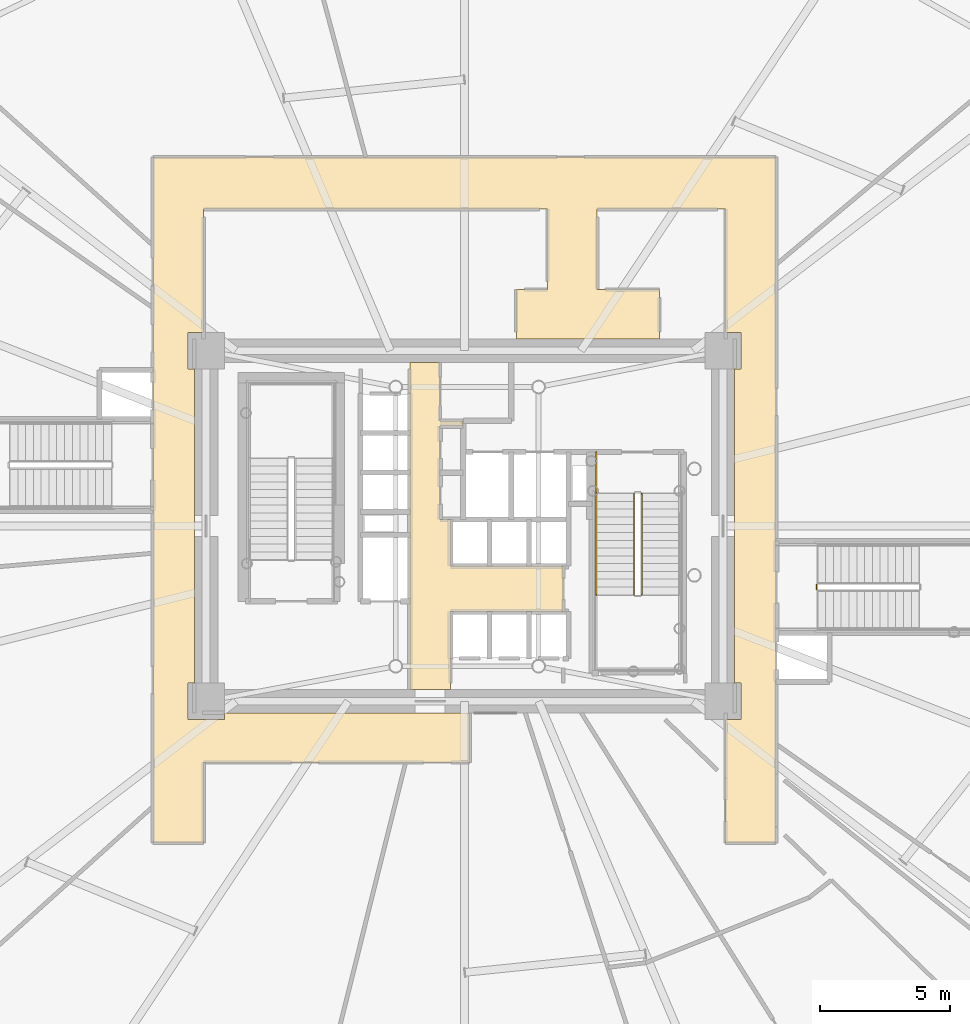
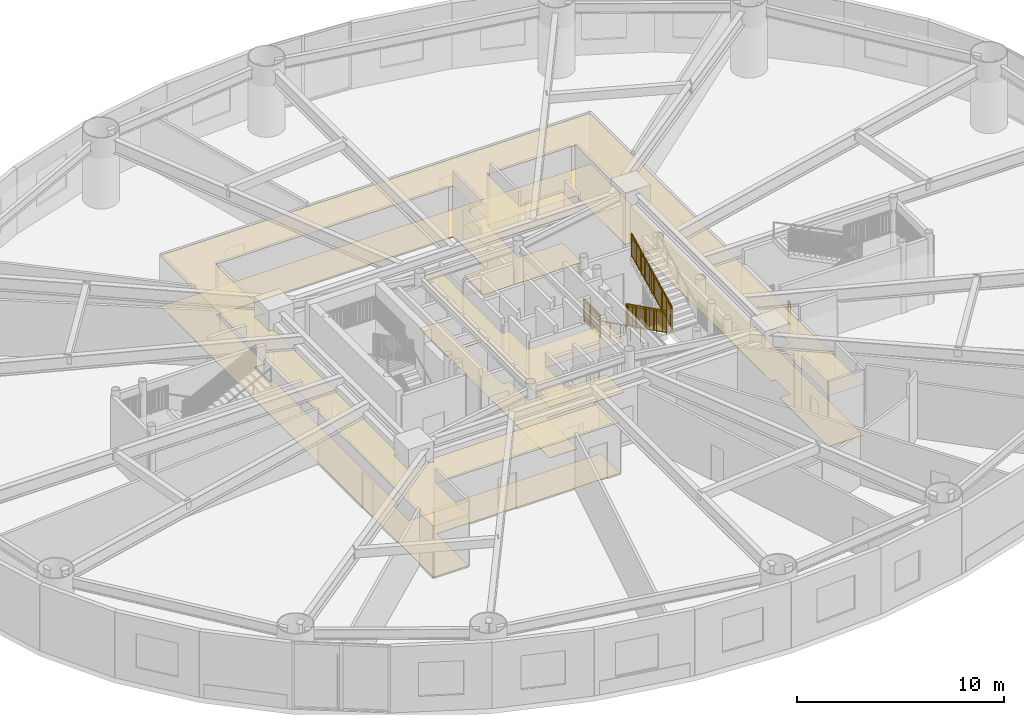
# One storey, part 27 of 31: 5 railings, 4 coverings.
"""IFC4 building model written with IfcOpenShell, lengths in metres."""

from ifc_helpers import new_model, si_unit, direction, frame, origin, origin_2d, place, context, subcontext, project, spatial, polyline, rectangle, outline, extrude, source, transform, mapped, material, layer, layer_set, type_object, element, save


model = new_model("IFC4")

# Units and contexts
model_context = context("Model", 3, precision=1e-05, world=origin(), true_north=direction((0.0, 1.0)))
body_context = subcontext(model_context, "Body", "Model", "MODEL_VIEW")
ifc_project = project(units=[si_unit("LENGTHUNIT", "METRE"), si_unit("AREAUNIT", "SQUARE_METRE"), si_unit("VOLUMEUNIT", "CUBIC_METRE"), si_unit("PLANEANGLEUNIT", "RADIAN"), si_unit("MASSUNIT", "GRAM", prefix="KILO")], contexts=[model_context])

# Site, building, storey
site_placement = place(None, origin())
site = spatial("IfcSite", under=ifc_project, at=site_placement, CompositionType="ELEMENT")
building_placement = place(site_placement, origin())
building = spatial("IfcBuilding", under=site, at=building_placement, Name="Linh Dai School and Residence Tower", CompositionType="ELEMENT")
storey_placement = place(building_placement, frame((0.0, 0.0, 6.0)))
storey = spatial("IfcBuildingStorey", under=building, at=storey_placement, Name="L01", CompositionType="ELEMENT", Elevation=6.0)

# Coverings
ifc_material_1 = material(Name="Mineral Fibre Acoustic Suspended Ceiling", Category="masonry")
ifc_layer_1 = layer(ifc_material_1, 0.02001953125)
ifc_layer_set_1 = layer_set([ifc_layer_1], Name="Mineral Fibre Acoustic Suspended Ceiling")
covering_type_1 = type_object("IfcCoveringType", Name="COV-CEIL-AC-20", PredefinedType="CEILING", material=ifc_layer_set_1)
covering_1_placement = place(storey_placement, frame((0.0, 0.0, 3.0)))
element("IfcCovering", 1, at=covering_1_placement, inside=storey, type_object=covering_type_1, Name="L01 Passenger Lift Lobby Suspended Ceiling", PredefinedType="CEILING", context=body_context, shape_type="SweptSolid", body=[
    extrude(outline(polyline([(35.050048828125, 33.300048828125), (35.050048828125, 31.050048828125), (35.949951171875, 31.050048828125), (35.949951171875, 30.85009765625), (35.050048828125, 30.85009765625), (35.050048828125, 27.25), (35.449951171875, 27.25), (35.449951171875, 25.449951171875), (39.800048828125, 25.449951171875), (39.800048828125, 23.699951171875), (35.449951171875, 23.699951171875), (35.449951171875, 20.699951171875), (33.89990234375, 20.699951171875), (33.89990234375, 33.300048828125), (35.050048828125, 33.300048828125)])), origin(), (0.0, 0.0, 1.0), 0.02001953125),
])
covering_2_placement = place(storey_placement, frame((0.0, 0.0, 3.0)))
element("IfcCovering", 2, at=covering_2_placement, inside=storey, type_object=covering_type_1, Name="L01 School Circulation Ring Corridor Suspended Ceiling", PredefinedType="CEILING", context=body_context, shape_type="SweptSolid", body=[
    extrude(outline(polyline([(24.0, 41.199951171875), (48.0, 41.199951171875), (48.0, 14.800048828125), (46.050048828125, 14.800048828125), (46.050048828125, 19.550048828125), (46.64990234375, 19.550048828125), (46.64990234375, 20.949951171875), (46.39990234375, 20.949951171875), (46.39990234375, 33.050048828125), (46.64990234375, 33.050048828125), (46.64990234375, 34.449951171875), (46.050048828125, 34.449951171875), (46.050048828125, 39.199951171875), (41.10009765625, 39.199951171875), (41.10009765625, 36.10009765625), (43.5, 36.10009765625), (43.5, 34.199951171875), (38.0, 34.199951171875), (38.0, 36.10009765625), (39.199951171875, 36.10009765625), (39.199951171875, 39.199951171875), (25.949951171875, 39.199951171875), (25.949951171875, 34.449951171875), (25.35009765625, 34.449951171875), (25.35009765625, 33.050048828125), (25.60009765625, 33.050048828125), (25.60009765625, 20.949951171875), (25.35009765625, 20.949951171875), (25.35009765625, 19.550048828125), (26.75, 19.550048828125), (26.75, 19.800048828125), (36.199951171875, 19.800048828125), (36.199951171875, 17.89990234375), (25.949951171875, 17.89990234375), (25.949951171875, 14.800048828125), (24.0, 14.800048828125), (24.0, 41.199951171875)])), origin(), (0.0, 0.0, 1.0), 0.02001953125),
])
ifc_material_2 = material(Name="Polished Terrazzo Floor Finish", Category="masonry")
ifc_layer_2 = layer(ifc_material_2, 0.02490234375)
ifc_layer_set_2 = layer_set([ifc_layer_2], Name="Polished Terrazzo Floor Finish")
covering_type_2 = type_object("IfcCoveringType", Name="COV-FLR-TRZ-25", PredefinedType="FLOORING", material=ifc_layer_set_2)
covering_3_placement = place(storey_placement, origin())
element("IfcCovering", 3, at=covering_3_placement, inside=storey, type_object=covering_type_2, Name="L01 Passenger Lift Lobby Floor Finish", PredefinedType="FLOORING", context=body_context, shape_type="SweptSolid", body=[
    extrude(outline(polyline([(35.050048828125, 33.300048828125), (35.050048828125, 31.050048828125), (35.949951171875, 31.050048828125), (35.949951171875, 30.85009765625), (35.050048828125, 30.85009765625), (35.050048828125, 27.25), (35.449951171875, 27.25), (35.449951171875, 25.449951171875), (39.800048828125, 25.449951171875), (39.800048828125, 23.699951171875), (35.449951171875, 23.699951171875), (35.449951171875, 20.699951171875), (33.89990234375, 20.699951171875), (33.89990234375, 33.300048828125), (35.050048828125, 33.300048828125)])), origin(), (0.0, 0.0, 1.0), 0.02001953125),
])
covering_4_placement = place(storey_placement, origin())
element("IfcCovering", 4, at=covering_4_placement, inside=storey, type_object=covering_type_2, Name="L01 School Circulation Ring Corridor Floor Finish", PredefinedType="FLOORING", context=body_context, shape_type="SweptSolid", body=[
    extrude(outline(polyline([(24.0, 41.199951171875), (48.0, 41.199951171875), (48.0, 14.800048828125), (46.050048828125, 14.800048828125), (46.050048828125, 19.550048828125), (46.64990234375, 19.550048828125), (46.64990234375, 20.949951171875), (46.39990234375, 20.949951171875), (46.39990234375, 33.050048828125), (46.64990234375, 33.050048828125), (46.64990234375, 34.449951171875), (46.050048828125, 34.449951171875), (46.050048828125, 39.199951171875), (41.10009765625, 39.199951171875), (41.10009765625, 36.10009765625), (43.5, 36.10009765625), (43.5, 34.199951171875), (38.0, 34.199951171875), (38.0, 36.10009765625), (39.199951171875, 36.10009765625), (39.199951171875, 39.199951171875), (25.949951171875, 39.199951171875), (25.949951171875, 34.449951171875), (25.35009765625, 34.449951171875), (25.35009765625, 33.050048828125), (25.60009765625, 33.050048828125), (25.60009765625, 20.949951171875), (25.35009765625, 20.949951171875), (25.35009765625, 19.550048828125), (26.75, 19.550048828125), (26.75, 19.800048828125), (36.199951171875, 19.800048828125), (36.199951171875, 17.89990234375), (25.949951171875, 17.89990234375), (25.949951171875, 14.800048828125), (24.0, 14.800048828125), (24.0, 41.199951171875)])), origin(), (0.0, 0.0, 1.0), 0.02001953125),
])

# Railings
ifc_material_3 = material(Name="Structural Steel S355JR", Category="steel")
railing_type_1 = type_object("IfcRailingType", Name="RL-ST-GUARD-1400", PredefinedType="GUARDRAIL", material=ifc_material_3)
shared_shape_1 = source(origin(), body_context, "Body", "SweptSolid", [
    extrude(rectangle(XDim=0.048095703125, YDim=0.048095703125, at=origin_2d()), frame((0.0, 0.0, 1.3759765625), z_axis=(0.0, -1.0, 0.0), x_axis=(1.0, 0.0, 0.0)), (0.0, 0.0, 1.0), 1.60009765625),
    extrude(rectangle(XDim=0.048095703125, YDim=0.048095703125, at=origin_2d()), frame((0.0, 0.0, 0.10009765625), z_axis=(0.0, -1.0, 0.0), x_axis=(1.0, 0.0, 0.0)), (0.0, 0.0, 1.0), 1.60009765625),
    extrude(rectangle(XDim=0.030029296875, YDim=0.030029296875, at=origin_2d()), frame((0.0, 0.0, 1.239990234375), z_axis=(0.0, -1.0, 0.0), x_axis=(1.0, 0.0, 0.0)), (0.0, 0.0, 1.0), 1.60009765625),
    extrude(rectangle(XDim=0.02001953125, YDim=0.02001953125, at=origin_2d()), frame((0.0, -0.09423828125, 0.10009765625)), (0.0, 0.0, 1.0), 1.251708984375),
    extrude(rectangle(XDim=0.02001953125, YDim=0.02001953125, at=origin_2d()), frame((0.0, -0.188232421875, 0.10009765625)), (0.0, 0.0, 1.0), 1.251708984375),
    extrude(rectangle(XDim=0.02001953125, YDim=0.02001953125, at=origin_2d()), frame((0.0, -0.282470703125, 0.10009765625)), (0.0, 0.0, 1.0), 1.251708984375),
    extrude(rectangle(XDim=0.02001953125, YDim=0.02001953125, at=origin_2d()), frame((0.0, -0.37646484375, 0.10009765625)), (0.0, 0.0, 1.0), 1.251708984375),
    extrude(rectangle(XDim=0.02001953125, YDim=0.02001953125, at=origin_2d()), frame((0.0, -0.470703125, 0.10009765625)), (0.0, 0.0, 1.0), 1.251708984375),
    extrude(rectangle(XDim=0.02001953125, YDim=0.02001953125, at=origin_2d()), frame((0.0, -0.564697265625, 0.10009765625)), (0.0, 0.0, 1.0), 1.251708984375),
    extrude(rectangle(XDim=0.02001953125, YDim=0.02001953125, at=origin_2d()), frame((0.0, -0.658935546875, 0.10009765625)), (0.0, 0.0, 1.0), 1.251708984375),
    extrude(rectangle(XDim=0.02001953125, YDim=0.02001953125, at=origin_2d()), frame((0.0, -0.7529296875, 0.10009765625)), (0.0, 0.0, 1.0), 1.251708984375),
    extrude(rectangle(XDim=0.02001953125, YDim=0.02001953125, at=origin_2d()), frame((0.0, -0.84716796875, 0.10009765625)), (0.0, 0.0, 1.0), 1.251708984375),
    extrude(rectangle(XDim=0.02001953125, YDim=0.02001953125, at=origin_2d()), frame((0.0, -0.941162109375, 0.10009765625)), (0.0, 0.0, 1.0), 1.251708984375),
    extrude(rectangle(XDim=0.02001953125, YDim=0.02001953125, at=origin_2d()), frame((0.0, -1.035400390625, 0.10009765625)), (0.0, 0.0, 1.0), 1.251708984375),
    extrude(rectangle(XDim=0.02001953125, YDim=0.02001953125, at=origin_2d()), frame((0.0, -1.12939453125, 0.10009765625)), (0.0, 0.0, 1.0), 1.251708984375),
    extrude(rectangle(XDim=0.02001953125, YDim=0.02001953125, at=origin_2d()), frame((0.0, -1.2236328125, 0.10009765625)), (0.0, 0.0, 1.0), 1.251708984375),
    extrude(rectangle(XDim=0.02001953125, YDim=0.02001953125, at=origin_2d()), frame((0.0, -1.317626953125, 0.10009765625)), (0.0, 0.0, 1.0), 1.251708984375),
    extrude(rectangle(XDim=0.02001953125, YDim=0.02001953125, at=origin_2d()), frame((0.0, -1.411865234375, 0.10009765625)), (0.0, 0.0, 1.0), 1.251708984375),
    extrude(rectangle(XDim=0.02001953125, YDim=0.02001953125, at=origin_2d()), frame((0.0, -1.505859375, 0.10009765625)), (0.0, 0.0, 1.0), 1.251708984375),
    extrude(rectangle(XDim=0.0419921875, YDim=0.0419921875, at=origin_2d()), origin(), (0.0, 0.0, 1.0), 1.3759765625),
    extrude(rectangle(XDim=0.0419921875, YDim=0.0419921875, at=origin_2d()), frame((0.0, -0.800048828125, 0.0)), (0.0, 0.0, 1.0), 1.3759765625),
    extrude(rectangle(XDim=0.0419921875, YDim=0.0419921875, at=origin_2d()), frame((0.0, -1.60009765625, 0.0)), (0.0, 0.0, 1.0), 1.3759765625),
])
railing_1_placement = place(storey_placement, frame((41.070068359375, 29.85009765625, 0.0)))
element("IfcRailing", 5, at=railing_1_placement, inside=storey, type_object=railing_type_1, Name="L01 ST2 stair guard 8", PredefinedType="GUARDRAIL", context=body_context, shape_type="MappedRepresentation", body=[
    mapped(shared_shape_1, transform((0.0, 0.0, 0.0), x_axis=(1.0, 0.0, 0.0), y_axis=(0.0, 1.0, 0.0), z_axis=(0.0, 0.0, 1.0), scale=1.0)),
])
shared_shape_2 = source(origin(), body_context, "Body", "SweptSolid", [
    extrude(rectangle(XDim=0.048095703125, YDim=0.048095703125, at=origin_2d()), frame((0.0, 0.0, 1.3759765625), z_axis=(0.0, -0.894404793364, 0.447258387967), x_axis=(1.0, 0.0, 0.0)), (0.0, 0.0, 1.0), 4.3603515625),
    extrude(rectangle(XDim=0.048095703125, YDim=0.048095703125, at=origin_2d()), frame((0.0, 0.0, 0.10009765625), z_axis=(0.0, -0.894404793364, 0.447258387967), x_axis=(1.0, 0.0, 0.0)), (0.0, 0.0, 1.0), 4.3603515625),
    extrude(rectangle(XDim=0.030029296875, YDim=0.030029296875, at=origin_2d()), frame((0.0, 0.0, 1.239990234375), z_axis=(0.0, -0.894404793364, 0.447258387967), x_axis=(1.0, 0.0, 0.0)), (0.0, 0.0, 1.0), 4.3603515625),
    extrude(rectangle(XDim=0.02001953125, YDim=0.02001953125, at=origin_2d()), frame((0.0, -0.086669921875, 0.1435546875)), (0.0, 0.0, 1.0), 1.251708984375),
    extrude(rectangle(XDim=0.02001953125, YDim=0.02001953125, at=origin_2d()), frame((0.0, -0.17333984375, 0.186767578125)), (0.0, 0.0, 1.0), 1.251708984375),
    extrude(rectangle(XDim=0.02001953125, YDim=0.02001953125, at=origin_2d()), frame((0.0, -0.260009765625, 0.230224609375)), (0.0, 0.0, 1.0), 1.251708984375),
    extrude(rectangle(XDim=0.02001953125, YDim=0.02001953125, at=origin_2d()), frame((0.0, -0.3466796875, 0.2734375)), (0.0, 0.0, 1.0), 1.251708984375),
    extrude(rectangle(XDim=0.02001953125, YDim=0.02001953125, at=origin_2d()), frame((0.0, -0.433349609375, 0.31689453125)), (0.0, 0.0, 1.0), 1.251708984375),
    extrude(rectangle(XDim=0.02001953125, YDim=0.02001953125, at=origin_2d()), frame((0.0, -0.52001953125, 0.360107421875)), (0.0, 0.0, 1.0), 1.251708984375),
    extrude(rectangle(XDim=0.02001953125, YDim=0.02001953125, at=origin_2d()), frame((0.0, -0.606689453125, 0.403564453125)), (0.0, 0.0, 1.0), 1.251708984375),
    extrude(rectangle(XDim=0.02001953125, YDim=0.02001953125, at=origin_2d()), frame((0.0, -0.693359375, 0.44677734375)), (0.0, 0.0, 1.0), 1.251708984375),
    extrude(rectangle(XDim=0.02001953125, YDim=0.02001953125, at=origin_2d()), frame((0.0, -0.780029296875, 0.490234375)), (0.0, 0.0, 1.0), 1.251708984375),
    extrude(rectangle(XDim=0.02001953125, YDim=0.02001953125, at=origin_2d()), frame((0.0, -0.86669921875, 0.533447265625)), (0.0, 0.0, 1.0), 1.251708984375),
    extrude(rectangle(XDim=0.02001953125, YDim=0.02001953125, at=origin_2d()), frame((0.0, -1.0400390625, 0.6201171875)), (0.0, 0.0, 1.0), 1.251708984375),
    extrude(rectangle(XDim=0.02001953125, YDim=0.02001953125, at=origin_2d()), frame((0.0, -1.126708984375, 0.66357421875)), (0.0, 0.0, 1.0), 1.251708984375),
    extrude(rectangle(XDim=0.02001953125, YDim=0.02001953125, at=origin_2d()), frame((0.0, -1.21337890625, 0.706787109375)), (0.0, 0.0, 1.0), 1.251708984375),
    extrude(rectangle(XDim=0.02001953125, YDim=0.02001953125, at=origin_2d()), frame((0.0, -1.300048828125, 0.750244140625)), (0.0, 0.0, 1.0), 1.251708984375),
    extrude(rectangle(XDim=0.02001953125, YDim=0.02001953125, at=origin_2d()), frame((0.0, -1.38671875, 0.79345703125)), (0.0, 0.0, 1.0), 1.251708984375),
    extrude(rectangle(XDim=0.02001953125, YDim=0.02001953125, at=origin_2d()), frame((0.0, -1.473388671875, 0.8369140625)), (0.0, 0.0, 1.0), 1.251708984375),
    extrude(rectangle(XDim=0.02001953125, YDim=0.02001953125, at=origin_2d()), frame((0.0, -1.56005859375, 0.880126953125)), (0.0, 0.0, 1.0), 1.251708984375),
    extrude(rectangle(XDim=0.02001953125, YDim=0.02001953125, at=origin_2d()), frame((0.0, -1.646728515625, 0.923583984375)), (0.0, 0.0, 1.0), 1.251708984375),
    extrude(rectangle(XDim=0.02001953125, YDim=0.02001953125, at=origin_2d()), frame((0.0, -1.7333984375, 0.966796875)), (0.0, 0.0, 1.0), 1.251708984375),
    extrude(rectangle(XDim=0.02001953125, YDim=0.02001953125, at=origin_2d()), frame((0.0, -1.820068359375, 1.01025390625)), (0.0, 0.0, 1.0), 1.251708984375),
    extrude(rectangle(XDim=0.02001953125, YDim=0.02001953125, at=origin_2d()), frame((0.0, -1.90673828125, 1.053466796875)), (0.0, 0.0, 1.0), 1.251708984375),
    extrude(rectangle(XDim=0.02001953125, YDim=0.02001953125, at=origin_2d()), frame((0.0, -1.9931640625, 1.096923828125)), (0.0, 0.0, 1.0), 1.251708984375),
    extrude(rectangle(XDim=0.02001953125, YDim=0.02001953125, at=origin_2d()), frame((0.0, -2.079833984375, 1.14013671875)), (0.0, 0.0, 1.0), 1.251708984375),
    extrude(rectangle(XDim=0.02001953125, YDim=0.02001953125, at=origin_2d()), frame((0.0, -2.16650390625, 1.18359375)), (0.0, 0.0, 1.0), 1.251708984375),
    extrude(rectangle(XDim=0.02001953125, YDim=0.02001953125, at=origin_2d()), frame((0.0, -2.253173828125, 1.226806640625)), (0.0, 0.0, 1.0), 1.251708984375),
    extrude(rectangle(XDim=0.02001953125, YDim=0.02001953125, at=origin_2d()), frame((0.0, -2.33984375, 1.270263671875)), (0.0, 0.0, 1.0), 1.251708984375),
    extrude(rectangle(XDim=0.02001953125, YDim=0.02001953125, at=origin_2d()), frame((0.0, -2.426513671875, 1.3134765625)), (0.0, 0.0, 1.0), 1.251708984375),
    extrude(rectangle(XDim=0.02001953125, YDim=0.02001953125, at=origin_2d()), frame((0.0, -2.51318359375, 1.35693359375)), (0.0, 0.0, 1.0), 1.251708984375),
    extrude(rectangle(XDim=0.02001953125, YDim=0.02001953125, at=origin_2d()), frame((0.0, -2.599853515625, 1.400146484375)), (0.0, 0.0, 1.0), 1.251708984375),
    extrude(rectangle(XDim=0.02001953125, YDim=0.02001953125, at=origin_2d()), frame((0.0, -2.6865234375, 1.443603515625)), (0.0, 0.0, 1.0), 1.251708984375),
    extrude(rectangle(XDim=0.02001953125, YDim=0.02001953125, at=origin_2d()), frame((0.0, -2.773193359375, 1.48681640625)), (0.0, 0.0, 1.0), 1.251708984375),
    extrude(rectangle(XDim=0.02001953125, YDim=0.02001953125, at=origin_2d()), frame((0.0, -2.85986328125, 1.5302734375)), (0.0, 0.0, 1.0), 1.251708984375),
    extrude(rectangle(XDim=0.02001953125, YDim=0.02001953125, at=origin_2d()), frame((0.0, -3.033203125, 1.616943359375)), (0.0, 0.0, 1.0), 1.251708984375),
    extrude(rectangle(XDim=0.02001953125, YDim=0.02001953125, at=origin_2d()), frame((0.0, -3.119873046875, 1.66015625)), (0.0, 0.0, 1.0), 1.251708984375),
    extrude(rectangle(XDim=0.02001953125, YDim=0.02001953125, at=origin_2d()), frame((0.0, -3.20654296875, 1.70361328125)), (0.0, 0.0, 1.0), 1.251708984375),
    extrude(rectangle(XDim=0.02001953125, YDim=0.02001953125, at=origin_2d()), frame((0.0, -3.293212890625, 1.746826171875)), (0.0, 0.0, 1.0), 1.251708984375),
    extrude(rectangle(XDim=0.02001953125, YDim=0.02001953125, at=origin_2d()), frame((0.0, -3.3798828125, 1.790283203125)), (0.0, 0.0, 1.0), 1.251708984375),
    extrude(rectangle(XDim=0.02001953125, YDim=0.02001953125, at=origin_2d()), frame((0.0, -3.466552734375, 1.83349609375)), (0.0, 0.0, 1.0), 1.251708984375),
    extrude(rectangle(XDim=0.02001953125, YDim=0.02001953125, at=origin_2d()), frame((0.0, -3.55322265625, 1.876953125)), (0.0, 0.0, 1.0), 1.251708984375),
    extrude(rectangle(XDim=0.02001953125, YDim=0.02001953125, at=origin_2d()), frame((0.0, -3.639892578125, 1.920166015625)), (0.0, 0.0, 1.0), 1.251708984375),
    extrude(rectangle(XDim=0.02001953125, YDim=0.02001953125, at=origin_2d()), frame((0.0, -3.7265625, 1.963623046875)), (0.0, 0.0, 1.0), 1.251708984375),
    extrude(rectangle(XDim=0.02001953125, YDim=0.02001953125, at=origin_2d()), frame((0.0, -3.813232421875, 2.0068359375)), (0.0, 0.0, 1.0), 1.251708984375),
    extrude(rectangle(XDim=0.0419921875, YDim=0.0419921875, at=origin_2d()), origin(), (0.0, 0.0, 1.0), 1.3759765625),
    extrude(rectangle(XDim=0.0419921875, YDim=0.0419921875, at=origin_2d()), frame((0.0, -0.97509765625, 0.487548828125)), (0.0, 0.0, 1.0), 1.3759765625),
    extrude(rectangle(XDim=0.0419921875, YDim=0.0419921875, at=origin_2d()), frame((0.0, -1.949951171875, 0.97509765625)), (0.0, 0.0, 1.0), 1.3759765625),
    extrude(rectangle(XDim=0.0419921875, YDim=0.0419921875, at=origin_2d()), frame((0.0, -2.9248046875, 1.462646484375)), (0.0, 0.0, 1.0), 1.3759765625),
    extrude(rectangle(XDim=0.0419921875, YDim=0.0419921875, at=origin_2d()), frame((0.0, -3.89990234375, 1.9501953125)), (0.0, 0.0, 1.0), 1.3759765625),
])
railing_2_placement = place(storey_placement, frame((42.52001953125, 28.25, 0.14990234375)))
element("IfcRailing", 6, at=railing_2_placement, inside=storey, type_object=railing_type_1, Name="L01 ST2 stair guard 1", PredefinedType="GUARDRAIL", context=body_context, shape_type="MappedRepresentation", body=[
    mapped(shared_shape_2, transform((0.0, 0.0, 0.0), x_axis=(1.0, 0.0, 0.0), y_axis=(0.0, 1.0, 0.0), z_axis=(0.0, 0.0, 1.0), scale=1.0)),
])
shared_shape_3 = source(origin(), body_context, "Body", "SweptSolid", [
    extrude(rectangle(XDim=0.048095703125, YDim=0.048095703125, at=origin_2d()), frame((0.0, 0.0, 1.3759765625), z_axis=(0.0, 0.894427191, 0.4472135955), x_axis=(-1.0, 0.0, 0.0)), (0.0, 0.0, 1.0), 4.360107421875),
    extrude(rectangle(XDim=0.048095703125, YDim=0.048095703125, at=origin_2d()), frame((0.0, 0.0, 0.10009765625), z_axis=(0.0, 0.894427191, 0.4472135955), x_axis=(-1.0, 0.0, 0.0)), (0.0, 0.0, 1.0), 4.360107421875),
    extrude(rectangle(XDim=0.030029296875, YDim=0.030029296875, at=origin_2d()), frame((0.0, 0.0, 1.239990234375), z_axis=(0.0, 0.894427191, 0.4472135955), x_axis=(-1.0, 0.0, 0.0)), (0.0, 0.0, 1.0), 4.360107421875),
    extrude(rectangle(XDim=0.02001953125, YDim=0.02001953125, at=origin_2d()), frame((0.0, 0.086669921875, 0.143310546875)), (0.0, 0.0, 1.0), 1.251708984375),
    extrude(rectangle(XDim=0.02001953125, YDim=0.02001953125, at=origin_2d()), frame((0.0, 0.17333984375, 0.186767578125)), (0.0, 0.0, 1.0), 1.251708984375),
    extrude(rectangle(XDim=0.02001953125, YDim=0.02001953125, at=origin_2d()), frame((0.0, 0.260009765625, 0.22998046875)), (0.0, 0.0, 1.0), 1.251708984375),
    extrude(rectangle(XDim=0.02001953125, YDim=0.02001953125, at=origin_2d()), frame((0.0, 0.3466796875, 0.2734375)), (0.0, 0.0, 1.0), 1.251708984375),
    extrude(rectangle(XDim=0.02001953125, YDim=0.02001953125, at=origin_2d()), frame((0.0, 0.433349609375, 0.316650390625)), (0.0, 0.0, 1.0), 1.251708984375),
    extrude(rectangle(XDim=0.02001953125, YDim=0.02001953125, at=origin_2d()), frame((0.0, 0.52001953125, 0.360107421875)), (0.0, 0.0, 1.0), 1.251708984375),
    extrude(rectangle(XDim=0.02001953125, YDim=0.02001953125, at=origin_2d()), frame((0.0, 0.606689453125, 0.4033203125)), (0.0, 0.0, 1.0), 1.251708984375),
    extrude(rectangle(XDim=0.02001953125, YDim=0.02001953125, at=origin_2d()), frame((0.0, 0.693359375, 0.44677734375)), (0.0, 0.0, 1.0), 1.251708984375),
    extrude(rectangle(XDim=0.02001953125, YDim=0.02001953125, at=origin_2d()), frame((0.0, 0.780029296875, 0.489990234375)), (0.0, 0.0, 1.0), 1.251708984375),
    extrude(rectangle(XDim=0.02001953125, YDim=0.02001953125, at=origin_2d()), frame((0.0, 0.86669921875, 0.533447265625)), (0.0, 0.0, 1.0), 1.251708984375),
    extrude(rectangle(XDim=0.02001953125, YDim=0.02001953125, at=origin_2d()), frame((0.0, 1.0400390625, 0.6201171875)), (0.0, 0.0, 1.0), 1.251708984375),
    extrude(rectangle(XDim=0.02001953125, YDim=0.02001953125, at=origin_2d()), frame((0.0, 1.126708984375, 0.663330078125)), (0.0, 0.0, 1.0), 1.251708984375),
    extrude(rectangle(XDim=0.02001953125, YDim=0.02001953125, at=origin_2d()), frame((0.0, 1.21337890625, 0.706787109375)), (0.0, 0.0, 1.0), 1.251708984375),
    extrude(rectangle(XDim=0.02001953125, YDim=0.02001953125, at=origin_2d()), frame((0.0, 1.300048828125, 0.75)), (0.0, 0.0, 1.0), 1.251708984375),
    extrude(rectangle(XDim=0.02001953125, YDim=0.02001953125, at=origin_2d()), frame((0.0, 1.38671875, 0.79345703125)), (0.0, 0.0, 1.0), 1.251708984375),
    extrude(rectangle(XDim=0.02001953125, YDim=0.02001953125, at=origin_2d()), frame((0.0, 1.473388671875, 0.836669921875)), (0.0, 0.0, 1.0), 1.251708984375),
    extrude(rectangle(XDim=0.02001953125, YDim=0.02001953125, at=origin_2d()), frame((0.0, 1.56005859375, 0.880126953125)), (0.0, 0.0, 1.0), 1.251708984375),
    extrude(rectangle(XDim=0.02001953125, YDim=0.02001953125, at=origin_2d()), frame((0.0, 1.646728515625, 0.92333984375)), (0.0, 0.0, 1.0), 1.251708984375),
    extrude(rectangle(XDim=0.02001953125, YDim=0.02001953125, at=origin_2d()), frame((0.0, 1.7333984375, 0.966796875)), (0.0, 0.0, 1.0), 1.251708984375),
    extrude(rectangle(XDim=0.02001953125, YDim=0.02001953125, at=origin_2d()), frame((0.0, 1.820068359375, 1.010009765625)), (0.0, 0.0, 1.0), 1.251708984375),
    extrude(rectangle(XDim=0.02001953125, YDim=0.02001953125, at=origin_2d()), frame((0.0, 1.90673828125, 1.053466796875)), (0.0, 0.0, 1.0), 1.251708984375),
    extrude(rectangle(XDim=0.02001953125, YDim=0.02001953125, at=origin_2d()), frame((0.0, 1.9931640625, 1.0966796875)), (0.0, 0.0, 1.0), 1.251708984375),
    extrude(rectangle(XDim=0.02001953125, YDim=0.02001953125, at=origin_2d()), frame((0.0, 2.079833984375, 1.14013671875)), (0.0, 0.0, 1.0), 1.251708984375),
    extrude(rectangle(XDim=0.02001953125, YDim=0.02001953125, at=origin_2d()), frame((0.0, 2.16650390625, 1.183349609375)), (0.0, 0.0, 1.0), 1.251708984375),
    extrude(rectangle(XDim=0.02001953125, YDim=0.02001953125, at=origin_2d()), frame((0.0, 2.253173828125, 1.226806640625)), (0.0, 0.0, 1.0), 1.251708984375),
    extrude(rectangle(XDim=0.02001953125, YDim=0.02001953125, at=origin_2d()), frame((0.0, 2.33984375, 1.27001953125)), (0.0, 0.0, 1.0), 1.251708984375),
    extrude(rectangle(XDim=0.02001953125, YDim=0.02001953125, at=origin_2d()), frame((0.0, 2.426513671875, 1.3134765625)), (0.0, 0.0, 1.0), 1.251708984375),
    extrude(rectangle(XDim=0.02001953125, YDim=0.02001953125, at=origin_2d()), frame((0.0, 2.51318359375, 1.356689453125)), (0.0, 0.0, 1.0), 1.251708984375),
    extrude(rectangle(XDim=0.02001953125, YDim=0.02001953125, at=origin_2d()), frame((0.0, 2.599853515625, 1.400146484375)), (0.0, 0.0, 1.0), 1.251708984375),
    extrude(rectangle(XDim=0.02001953125, YDim=0.02001953125, at=origin_2d()), frame((0.0, 2.6865234375, 1.443359375)), (0.0, 0.0, 1.0), 1.251708984375),
    extrude(rectangle(XDim=0.02001953125, YDim=0.02001953125, at=origin_2d()), frame((0.0, 2.773193359375, 1.48681640625)), (0.0, 0.0, 1.0), 1.251708984375),
    extrude(rectangle(XDim=0.02001953125, YDim=0.02001953125, at=origin_2d()), frame((0.0, 2.85986328125, 1.530029296875)), (0.0, 0.0, 1.0), 1.251708984375),
    extrude(rectangle(XDim=0.02001953125, YDim=0.02001953125, at=origin_2d()), frame((0.0, 3.033203125, 1.61669921875)), (0.0, 0.0, 1.0), 1.251708984375),
    extrude(rectangle(XDim=0.02001953125, YDim=0.02001953125, at=origin_2d()), frame((0.0, 3.119873046875, 1.66015625)), (0.0, 0.0, 1.0), 1.251708984375),
    extrude(rectangle(XDim=0.02001953125, YDim=0.02001953125, at=origin_2d()), frame((0.0, 3.20654296875, 1.703369140625)), (0.0, 0.0, 1.0), 1.251708984375),
    extrude(rectangle(XDim=0.02001953125, YDim=0.02001953125, at=origin_2d()), frame((0.0, 3.293212890625, 1.746826171875)), (0.0, 0.0, 1.0), 1.251708984375),
    extrude(rectangle(XDim=0.02001953125, YDim=0.02001953125, at=origin_2d()), frame((0.0, 3.3798828125, 1.7900390625)), (0.0, 0.0, 1.0), 1.251708984375),
    extrude(rectangle(XDim=0.02001953125, YDim=0.02001953125, at=origin_2d()), frame((0.0, 3.466552734375, 1.83349609375)), (0.0, 0.0, 1.0), 1.251708984375),
    extrude(rectangle(XDim=0.02001953125, YDim=0.02001953125, at=origin_2d()), frame((0.0, 3.55322265625, 1.876708984375)), (0.0, 0.0, 1.0), 1.251708984375),
    extrude(rectangle(XDim=0.02001953125, YDim=0.02001953125, at=origin_2d()), frame((0.0, 3.639892578125, 1.920166015625)), (0.0, 0.0, 1.0), 1.251708984375),
    extrude(rectangle(XDim=0.02001953125, YDim=0.02001953125, at=origin_2d()), frame((0.0, 3.7265625, 1.96337890625)), (0.0, 0.0, 1.0), 1.251708984375),
    extrude(rectangle(XDim=0.02001953125, YDim=0.02001953125, at=origin_2d()), frame((0.0, 3.813232421875, 2.0068359375)), (0.0, 0.0, 1.0), 1.251708984375),
    extrude(rectangle(XDim=0.0419921875, YDim=0.0419921875, at=origin_2d()), origin(), (0.0, 0.0, 1.0), 1.3759765625),
    extrude(rectangle(XDim=0.0419921875, YDim=0.0419921875, at=origin_2d()), frame((0.0, 0.97509765625, 0.487548828125)), (0.0, 0.0, 1.0), 1.3759765625),
    extrude(rectangle(XDim=0.0419921875, YDim=0.0419921875, at=origin_2d()), frame((0.0, 1.949951171875, 0.97509765625)), (0.0, 0.0, 1.0), 1.3759765625),
    extrude(rectangle(XDim=0.0419921875, YDim=0.0419921875, at=origin_2d()), frame((0.0, 2.9248046875, 1.46240234375)), (0.0, 0.0, 1.0), 1.3759765625),
    extrude(rectangle(XDim=0.0419921875, YDim=0.0419921875, at=origin_2d()), frame((0.0, 3.89990234375, 1.949951171875)), (0.0, 0.0, 1.0), 1.3759765625),
])
railing_3_placement = place(storey_placement, frame((42.820068359375, 24.35009765625, 2.25)))
element("IfcRailing", 7, at=railing_3_placement, inside=storey, type_object=railing_type_1, Name="L01 ST2 stair guard 6", PredefinedType="GUARDRAIL", context=body_context, shape_type="MappedRepresentation", body=[
    mapped(shared_shape_3, transform((0.0, 0.0, 0.0), x_axis=(1.0, 0.0, 0.0), y_axis=(0.0, 1.0, 0.0), z_axis=(0.0, 0.0, 1.0), scale=1.0)),
])
ifc_material_4 = material(Name="Brushed Stainless Steel Handrail", Category="steel")
railing_type_2 = type_object("IfcRailingType", Name="RL-ST-HANDRAIL-900", PredefinedType="HANDRAIL", material=ifc_material_4)
shared_shape_4 = source(origin(), body_context, "Body", "SweptSolid", [
    extrude(rectangle(XDim=0.048095703125, YDim=0.048095703125, at=origin_2d()), frame((0.0, 0.0, 0.8759765625), z_axis=(0.0, -0.894404793364, 0.447258387967), x_axis=(1.0, 0.0, 0.0)), (0.0, 0.0, 1.0), 4.3603515625),
    extrude(rectangle(XDim=0.0419921875, YDim=0.0419921875, at=origin_2d()), origin(), (0.0, 0.0, 1.0), 0.8759765625),
    extrude(rectangle(XDim=0.0419921875, YDim=0.0419921875, at=origin_2d()), frame((0.0, -0.97509765625, 0.487548828125)), (0.0, 0.0, 1.0), 0.8759765625),
    extrude(rectangle(XDim=0.0419921875, YDim=0.0419921875, at=origin_2d()), frame((0.0, -1.949951171875, 0.97509765625)), (0.0, 0.0, 1.0), 0.8759765625),
    extrude(rectangle(XDim=0.0419921875, YDim=0.0419921875, at=origin_2d()), frame((0.0, -2.9248046875, 1.462646484375)), (0.0, 0.0, 1.0), 0.8759765625),
    extrude(rectangle(XDim=0.0419921875, YDim=0.0419921875, at=origin_2d()), frame((0.0, -3.89990234375, 1.9501953125)), (0.0, 0.0, 1.0), 0.8759765625),
])
railing_4_placement = place(storey_placement, frame((41.070068359375, 28.25, 0.14990234375)))
element("IfcRailing", 8, at=railing_4_placement, inside=storey, type_object=railing_type_2, Name="L01 ST2 stair handrail 1", PredefinedType="HANDRAIL", context=body_context, shape_type="MappedRepresentation", body=[
    mapped(shared_shape_4, transform((0.0, 0.0, 0.0), x_axis=(1.0, 0.0, 0.0), y_axis=(0.0, 1.0, 0.0), z_axis=(0.0, 0.0, 1.0), scale=1.0)),
])
shared_shape_5 = source(origin(), body_context, "Body", "SweptSolid", [
    extrude(rectangle(XDim=0.048095703125, YDim=0.048095703125, at=origin_2d()), frame((0.0, 0.0, 1.3759765625), z_axis=(0.0, 1.0, 0.0), x_axis=(-1.0, 0.0, 0.0)), (0.0, 0.0, 1.0), 0.199951171875),
    extrude(rectangle(XDim=0.048095703125, YDim=0.048095703125, at=origin_2d()), frame((0.0, 0.0, 0.10009765625), z_axis=(0.0, 1.0, 0.0), x_axis=(-1.0, 0.0, 0.0)), (0.0, 0.0, 1.0), 0.199951171875),
    extrude(rectangle(XDim=0.030029296875, YDim=0.030029296875, at=origin_2d()), frame((0.0, 0.0, 1.239990234375), z_axis=(0.0, 1.0, 0.0), x_axis=(-1.0, 0.0, 0.0)), (0.0, 0.0, 1.0), 0.199951171875),
    extrude(rectangle(XDim=0.0419921875, YDim=0.0419921875, at=origin_2d()), origin(), (0.0, 0.0, 1.0), 1.3759765625),
    extrude(rectangle(XDim=0.0419921875, YDim=0.0419921875, at=origin_2d()), frame((0.0, 0.199951171875, 0.0)), (0.0, 0.0, 1.0), 1.3759765625),
])
railing_5_placement = place(storey_placement, frame((49.550048828125, 24.550048828125, 0.0)))
element("IfcRailing", 9, at=railing_5_placement, inside=storey, type_object=railing_type_1, Name="L01 STS2 stair guard 7", PredefinedType="GUARDRAIL", context=body_context, shape_type="MappedRepresentation", body=[
    mapped(shared_shape_5, transform((0.0, 0.0, 0.0), x_axis=(1.0, 0.0, 0.0), y_axis=(0.0, 1.0, 0.0), z_axis=(0.0, 0.0, 1.0), scale=1.0)),
])

save(model, "model.ifc")
